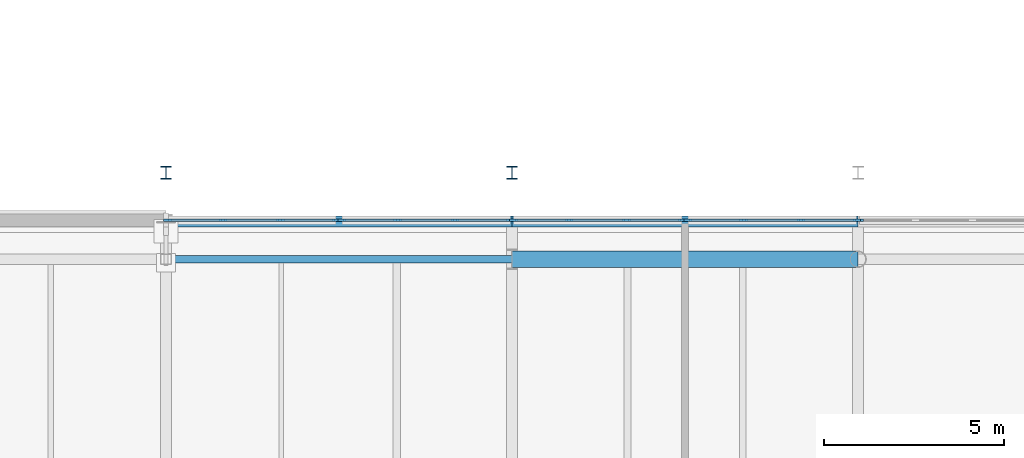
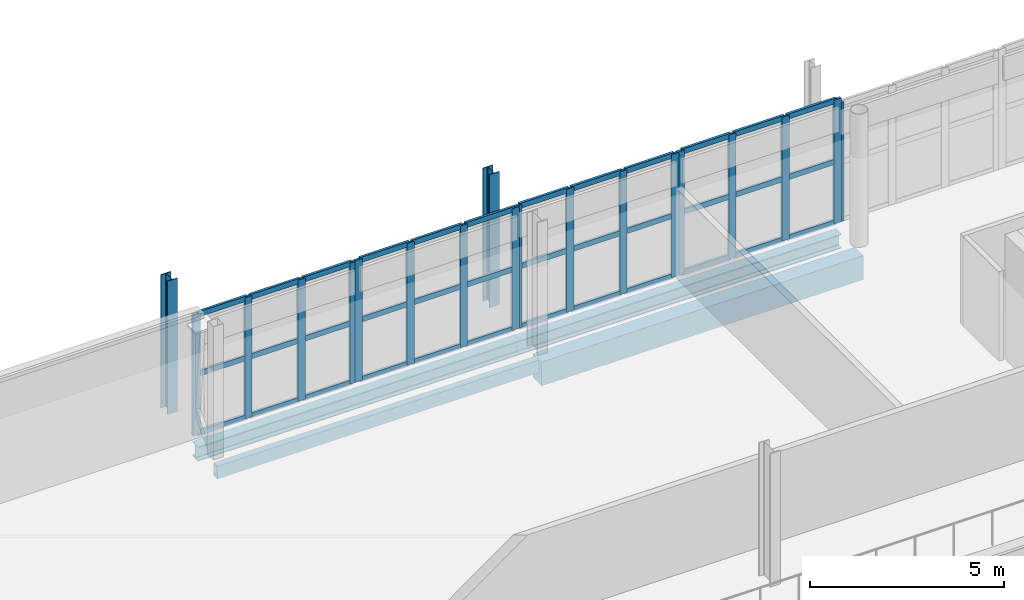
# One storey, part 22 of 57: 55 members, 4 beams, 5 elements without a shape of their own.
"""IFC4 building model written with IfcOpenShell, lengths in metres."""

import ifcopenshell
import ifcopenshell.guid

model = None  # the IFC model being written
_history = None  # IfcOwnerHistory: only IFC2X3 demands one
_inside = {}  # id of a spatial element -> (the spatial element, [elements in it])
_under = {}  # id of a project, library or spatial element -> (it, [spatial elements below it])
_declared = {}  # id of a project -> (the project, [libraries it declares])
_typed = {}  # id of a type object -> (the type object, [elements of that type])
_made_of = {}  # id of a material, layer set ... -> (it, [elements and type objects made of it])


def new_model(schema):
    """Start an empty IFC model of exactly this schema.

    Asked for "IFC4X3", IfcOpenShell would pick the latest addendum, in which some entities
    have other attributes; the version numbers below select the first issue.
    IFC2X3 requires an IfcOwnerHistory on every rooted entity: one is made here for all.
    """
    global model, _history
    if schema == "IFC4X3":
        model = ifcopenshell.file(schema_version=(4, 3, 0, 0))
    else:
        model = ifcopenshell.file(schema=schema)
    _inside.clear()
    _under.clear()
    _declared.clear()
    _typed.clear()
    _made_of.clear()
    _history = None
    if model.schema == "IFC2X3":
        org = make("IfcOrganization", Name="unknown")
        user = make(
            "IfcPersonAndOrganization",
            ThePerson=make("IfcPerson", FamilyName="unknown"),
            TheOrganization=org,
        )
        app = make(
            "IfcApplication",
            ApplicationDeveloper=org,
            Version="unknown",
            ApplicationFullName="unknown",
            ApplicationIdentifier="unknown",
        )
        _history = make(
            "IfcOwnerHistory",
            OwningUser=user,
            OwningApplication=app,
            ChangeAction="ADDED",
            CreationDate=0,
        )
    return model


def make(cls, **values):
    """One entity of the class cls with the attributes given. An attribute that is None is left unset."""
    return model.create_entity(
        cls, **{name: value for name, value in values.items() if value is not None}
    )


def rooted(cls, **values):
    """An entity with a GlobalId (a new one), such as an element, a storey or a relation."""
    return make(cls, GlobalId=ifcopenshell.guid.new(), OwnerHistory=_history, **values)


def si_unit(unit_type, name, prefix=None):
    """IfcSIUnit, for example si_unit("LENGTHUNIT", "METRE", prefix="MILLI")."""
    return make("IfcSIUnit", UnitType=unit_type, Prefix=prefix, Name=name)


def assignment(units):
    """IfcUnitAssignment: the units of a project."""
    return None if units is None else make("IfcUnitAssignment", Units=units)


def point(xyz):
    """IfcCartesianPoint."""
    return None if xyz is None else make("IfcCartesianPoint", Coordinates=xyz)


def direction(xyz):
    """IfcDirection."""
    return None if xyz is None else make("IfcDirection", DirectionRatios=xyz)


def frame(location, z_axis=None, x_axis=None):
    """IfcAxis2Placement3D, a coordinate frame: its origin and axes. An axis left out is left unset."""
    return make(
        "IfcAxis2Placement3D",
        Location=point(location),
        Axis=direction(z_axis),
        RefDirection=direction(x_axis),
    )


def frame_2d(location, x_axis=None):
    """IfcAxis2Placement2D, a coordinate frame in the plane: its origin and x axis."""
    return make(
        "IfcAxis2Placement2D", Location=point(location), RefDirection=direction(x_axis)
    )


def origin():
    """The frame at (0, 0, 0) with its axes left unset."""
    return frame((0.0, 0.0, 0.0))


def origin_2d():
    """The frame at (0, 0) in the plane with its x axis left unset."""
    return frame_2d((0.0, 0.0))


def place(relative_to, where):
    """IfcLocalPlacement: puts the frame where relative to a parent placement (None: the world)."""
    return make(
        "IfcLocalPlacement", PlacementRelTo=relative_to, RelativePlacement=where
    )


def context(
    kind, dimensions, precision=None, world=None, true_north=None, identifier=None
):
    """IfcGeometricRepresentationContext, for example the 3D "Model" context."""
    return make(
        "IfcGeometricRepresentationContext",
        ContextIdentifier=identifier,
        ContextType=kind,
        CoordinateSpaceDimension=dimensions,
        Precision=precision,
        WorldCoordinateSystem=world,
        TrueNorth=true_north,
    )


def subcontext(parent, identifier, kind, view, scale=None):
    """IfcGeometricRepresentationSubContext, for example "Body" below "Model"."""
    return make(
        "IfcGeometricRepresentationSubContext",
        ContextIdentifier=identifier,
        ContextType=kind,
        ParentContext=parent,
        TargetScale=scale,
        TargetView=view,
    )


def project(units=None, contexts=None):
    """IfcProject with its units and contexts."""
    return rooted(
        "IfcProject",
        Name="project",
        RepresentationContexts=contexts,
        UnitsInContext=assignment(units),
    )


def spatial(cls, under=None, at=None, **own):
    """A site, building, storey or space (cls), placed at a placement, below another one or the project."""
    s = rooted(cls, ObjectPlacement=at, **own)
    if under is not None:
        _under.setdefault(under.id(), (under, []))[1].append(s)
    return s


def profile(cls, at=None, kind="AREA", **sizes):
    """A parametric profile (cls). Its sizes go by their IFC names, for example OverallWidth=200.0."""
    return make(cls, ProfileType=kind, Position=at, **sizes)


def rectangle(**sizes):
    """IfcRectangleProfileDef."""
    return profile("IfcRectangleProfileDef", **sizes)


def hollow_rectangle(**sizes):
    """IfcRectangleHollowProfileDef."""
    return profile("IfcRectangleHollowProfileDef", **sizes)


def i_section(**sizes):
    """IfcIShapeProfileDef."""
    return profile("IfcIShapeProfileDef", **sizes)


def extrude(swept, where, along, depth):
    """IfcExtrudedAreaSolid: the profile swept, set in the frame where, extruded along a direction by depth."""
    return make(
        "IfcExtrudedAreaSolid",
        SweptArea=swept,
        Position=where,
        ExtrudedDirection=direction(along),
        Depth=depth,
    )


def shape(context_of_items, identifier, shape_type, items):
    """IfcShapeRepresentation: the items that make up one representation, for example the "Body"."""
    return make(
        "IfcShapeRepresentation",
        ContextOfItems=context_of_items,
        RepresentationIdentifier=identifier,
        RepresentationType=shape_type,
        Items=items,
    )


def material(Name=None, Category=None):
    """IfcMaterial."""
    return make("IfcMaterial", Name=Name, Category=Category)


def layer(
    of_material, thickness, ventilated=None, Name=None, Category=None, Priority=None
):
    """IfcMaterialLayer: one layer of a wall or slab, of a material (None: an air gap)."""
    return make(
        "IfcMaterialLayer",
        Material=of_material,
        LayerThickness=thickness,
        IsVentilated=ventilated,
        Name=Name,
        Category=Category,
        Priority=Priority,
    )


def layer_set(layers, Name=None):
    """IfcMaterialLayerSet."""
    return make("IfcMaterialLayerSet", MaterialLayers=layers, LayerSetName=Name)


def material_profile(
    of_material, cross_section, Name=None, Category=None, Priority=None
):
    """IfcMaterialProfile: a cross section and its material."""
    return make(
        "IfcMaterialProfile",
        Name=Name,
        Material=of_material,
        Profile=cross_section,
        Priority=Priority,
        Category=Category,
    )


def profile_set(profiles, Name=None, composite=None):
    """IfcMaterialProfileSet."""
    return make(
        "IfcMaterialProfileSet",
        Name=Name,
        MaterialProfiles=profiles,
        CompositeProfile=composite,
    )


def made_of(thing, what):
    """Note that an element or type object is made of a material, layer set ...; save() writes the relation."""
    if what is not None:
        _made_of.setdefault(what.id(), (what, []))[1].append(thing)
    return thing


def type_object(cls, material=None, **own):
    """A type object (cls), such as IfcWallType, which elements share."""
    return made_of(rooted(cls, **own), material)


def element(
    cls,
    number,
    at=None,
    inside=None,
    cuts=None,
    type_object=None,
    material=None,
    context=None,
    identifier="Body",
    shape_type=None,
    held_by="IfcProductDefinitionShape",
    body=None,
    shapes=None,
    **own,
):
    """One element of the class cls, such as IfcWall. Its Tag is "e" and its number.

    at: its placement. inside: the storey or other place that contains it. cuts: it is an
    opening in that element (IfcRelVoidsElement). A single representation is given by context,
    identifier, shape_type and body (its items); several are given by shapes. held_by: the class
    of the entity that holds the representations. save() writes the other relations.
    """
    e = rooted(cls, Tag="e%d" % number, ObjectPlacement=at, **own)
    if body is not None:
        shapes = [shape(context, identifier, shape_type, body)]
    if shapes is not None:
        e.Representation = make(held_by, Representations=shapes)
    if inside is not None:
        _inside.setdefault(inside.id(), (inside, []))[1].append(e)
    if cuts is not None:
        rooted(
            "IfcRelVoidsElement", RelatingBuildingElement=cuts, RelatedOpeningElement=e
        )
    if type_object is not None:
        _typed.setdefault(type_object.id(), (type_object, []))[1].append(e)
    return made_of(e, material)


def aggregate(whole, parts):
    """IfcRelAggregates: a whole, such as a stair, and the parts it consists of."""
    return rooted("IfcRelAggregates", RelatingObject=whole, RelatedObjects=parts)


def save(model, path):
    """Write the relations noted so far, then the file.

    IfcRelAggregates (storeys below a building ...), IfcRelContainedInSpatialStructure (elements
    in a storey), IfcRelDefinesByType, IfcRelAssociatesMaterial and IfcRelDeclares: one each for
    every whole, place, type object, material and project.
    """
    for whole, parts in _under.values():
        aggregate(whole, parts)
    for where, things in _inside.values():
        rooted(
            "IfcRelContainedInSpatialStructure",
            RelatedElements=things,
            RelatingStructure=where,
        )
    for kind, things in _typed.values():
        rooted("IfcRelDefinesByType", RelatedObjects=things, RelatingType=kind)
    for what, things in _made_of.values():
        rooted("IfcRelAssociatesMaterial", RelatedObjects=things, RelatingMaterial=what)
    for by, libraries in _declared.values():
        rooted("IfcRelDeclares", RelatingContext=by, RelatedDefinitions=libraries)
    model.write(path)


model = new_model("IFC4")

# Units and contexts
model_context = context("Model", 3, precision=1e-05, world=origin(), true_north=direction((0.0, 1.0)))
body_context = subcontext(model_context, "Body", "Model", "MODEL_VIEW")
ifc_project = project(units=[si_unit("LENGTHUNIT", "METRE"), si_unit("AREAUNIT", "SQUARE_METRE"), si_unit("VOLUMEUNIT", "CUBIC_METRE"), si_unit("PLANEANGLEUNIT", "RADIAN"), si_unit("MASSUNIT", "GRAM", prefix="KILO")], contexts=[model_context])

# Site, building, storey
site_placement = place(None, origin())
site = spatial("IfcSite", under=ifc_project, at=site_placement, CompositionType="ELEMENT")
building_placement = place(site_placement, origin())
building = spatial("IfcBuilding", under=site, at=building_placement, Name="Zereglee Splitstone Museum", CompositionType="ELEMENT")
storey_placement = place(building_placement, frame((0.0, 0.0, 17.10009765625)))
storey = spatial("IfcBuildingStorey", under=building, at=storey_placement, Name="L03", CompositionType="ELEMENT", Elevation=17.10009765625)

# Curtain wall, member
ifc_material_1 = material(Name="Triple-glazed low-E argon glass and bronze-anodised aluminium", Category="aluminium")
ifc_layer_1 = layer(ifc_material_1, 0.219970703125)
ifc_layer_set_1 = layer_set([ifc_layer_1], Name="Triple-glazed low-E argon glass and bronze-anodised aluminium")
curtain_wall_type_1 = type_object("IfcCurtainWallType", Name="CW-0476-376", PredefinedType="USERDEFINED", material=ifc_layer_set_1)
curtain_wall_1_placement = place(storey_placement, origin())
curtain_wall_1 = element("IfcCurtainWall", 1, at=curtain_wall_1_placement, inside=storey, type_object=curtain_wall_type_1, Name="Glazed Curtain Wall CW-0476-376 (L03)", ObjectType="GLAZED CURTAIN WALL", PredefinedType="USERDEFINED")
ifc_material_2 = material(Name="Thermally broken bronze-anodised aluminium", Category="aluminium")
ifc_material_profile_1 = material_profile(ifc_material_2, rectangle(XDim=0.074951171875, YDim=0.219970703125, at=origin_2d()), Name="CW MULL 75x220")
ifc_profile_set_1 = profile_set([ifc_material_profile_1], Name="Thermally broken bronze-anodised aluminium")
member_type_1 = type_object("IfcMemberType", Name="CWM-02", PredefinedType="MULLION", material=ifc_profile_set_1)
member_1_placement = place(storey_placement, frame((116.4375, 51.47998046875, 0.0), z_axis=(0.0, 0.0, 1.0), x_axis=(0.0, -1.0, 0.0)))
member_1 = element("IfcMember", 2, at=member_1_placement, type_object=member_type_1, Name="CW-0476-376 mullion 4", PredefinedType="MULLION", context=body_context, shape_type="SweptSolid", body=[
    extrude(rectangle(XDim=0.074951171875, YDim=0.219970703125, at=origin_2d()), origin(), (0.0, 0.0, 1.0), 3.760009765625),
])
aggregate(curtain_wall_1, [member_1])

# Curtain wall, members
ifc_layer_2 = layer(ifc_material_1, 0.219970703125)
ifc_layer_set_2 = layer_set([ifc_layer_2], Name="Triple-glazed low-E argon glass and bronze-anodised aluminium")
curtain_wall_type_2 = type_object("IfcCurtainWallType", Name="CW-0476-390", PredefinedType="USERDEFINED", material=ifc_layer_set_2)
curtain_wall_2_placement = place(storey_placement, origin())
curtain_wall_2 = element("IfcCurtainWall", 3, at=curtain_wall_2_placement, inside=storey, type_object=curtain_wall_type_2, Name="Glazed Curtain Wall CW-0476-390 (L03)", ObjectType="GLAZED CURTAIN WALL", PredefinedType="USERDEFINED")
member_2_placement = place(storey_placement, frame((116.362548828125, 51.47998046875, 0.0), z_axis=(0.0, 0.0, 1.0), x_axis=(0.0, -1.0, 0.0)))
member_2 = element("IfcMember", 4, at=member_2_placement, type_object=member_type_1, Name="CW-0476-390 mullion 1", PredefinedType="MULLION", context=body_context, shape_type="SweptSolid", body=[
    extrude(rectangle(XDim=0.074951171875, YDim=0.219970703125, at=origin_2d()), origin(), (0.0, 0.0, 1.0), 3.89990234375),
])
member_3_placement = place(storey_placement, frame((114.813232421875, 51.47998046875, 0.0), z_axis=(0.0, 0.0, 1.0), x_axis=(0.0, -1.0, 0.0)))
member_3 = element("IfcMember", 5, at=member_3_placement, type_object=member_type_1, Name="CW-0476-390 mullion 2", PredefinedType="MULLION", context=body_context, shape_type="SweptSolid", body=[
    extrude(rectangle(XDim=0.074951171875, YDim=0.219970703125, at=origin_2d()), origin(), (0.0, 0.0, 1.0), 3.89990234375),
])
member_4_placement = place(storey_placement, frame((113.2265625, 51.47998046875, 0.0), z_axis=(0.0, 0.0, 1.0), x_axis=(0.0, -1.0, 0.0)))
member_4 = element("IfcMember", 6, at=member_4_placement, type_object=member_type_1, Name="CW-0476-390 mullion 3", PredefinedType="MULLION", context=body_context, shape_type="SweptSolid", body=[
    extrude(rectangle(XDim=0.074951171875, YDim=0.219970703125, at=origin_2d()), origin(), (0.0, 0.0, 1.0), 3.89990234375),
])
member_5_placement = place(storey_placement, frame((111.677490234375, 51.47998046875, 0.0), z_axis=(0.0, 0.0, 1.0), x_axis=(0.0, -1.0, 0.0)))
member_5 = element("IfcMember", 7, at=member_5_placement, type_object=member_type_1, Name="CW-0476-390 mullion 4", PredefinedType="MULLION", context=body_context, shape_type="SweptSolid", body=[
    extrude(rectangle(XDim=0.074951171875, YDim=0.219970703125, at=origin_2d()), origin(), (0.0, 0.0, 1.0), 3.89990234375),
])

ifc_layer_3 = layer(ifc_material_1, 0.219970703125)
ifc_layer_set_3 = layer_set([ifc_layer_3], Name="Triple-glazed low-E argon glass and bronze-anodised aluminium")
curtain_wall_type_3 = type_object("IfcCurtainWallType", Name="CW-0476-388", PredefinedType="USERDEFINED", material=ifc_layer_set_3)
curtain_wall_3_placement = place(storey_placement, origin())
curtain_wall_3 = element("IfcCurtainWall", 8, at=curtain_wall_3_placement, inside=storey, type_object=curtain_wall_type_3, Name="Glazed Curtain Wall CW-0476-388 (L03)", ObjectType="GLAZED CURTAIN WALL", PredefinedType="USERDEFINED")
member_6_placement = place(storey_placement, frame((111.5224609375, 51.47998046875, 0.0), z_axis=(0.0, 0.0, 1.0), x_axis=(0.0, -1.0, 0.0)))
member_6 = element("IfcMember", 9, at=member_6_placement, type_object=member_type_1, Name="CW-0476-388 mullion 1", PredefinedType="MULLION", context=body_context, shape_type="SweptSolid", body=[
    extrude(rectangle(XDim=0.074951171875, YDim=0.219970703125, at=origin_2d()), origin(), (0.0, 0.0, 1.0), 3.8798828125),
])
member_7_placement = place(storey_placement, frame((109.973388671875, 51.47998046875, 0.0), z_axis=(0.0, 0.0, 1.0), x_axis=(0.0, -1.0, 0.0)))
member_7 = element("IfcMember", 10, at=member_7_placement, type_object=member_type_1, Name="CW-0476-388 mullion 2", PredefinedType="MULLION", context=body_context, shape_type="SweptSolid", body=[
    extrude(rectangle(XDim=0.074951171875, YDim=0.219970703125, at=origin_2d()), origin(), (0.0, 0.0, 1.0), 3.8798828125),
])
member_8_placement = place(storey_placement, frame((108.38671875, 51.47998046875, 0.0), z_axis=(0.0, 0.0, 1.0), x_axis=(0.0, -1.0, 0.0)))
member_8 = element("IfcMember", 11, at=member_8_placement, type_object=member_type_1, Name="CW-0476-388 mullion 3", PredefinedType="MULLION", context=body_context, shape_type="SweptSolid", body=[
    extrude(rectangle(XDim=0.074951171875, YDim=0.219970703125, at=origin_2d()), origin(), (0.0, 0.0, 1.0), 3.8798828125),
])
member_9_placement = place(storey_placement, frame((106.83740234375, 51.47998046875, 0.0), z_axis=(0.0, 0.0, 1.0), x_axis=(0.0, -1.0, 0.0)))
member_9 = element("IfcMember", 12, at=member_9_placement, type_object=member_type_1, Name="CW-0476-388 mullion 4", PredefinedType="MULLION", context=body_context, shape_type="SweptSolid", body=[
    extrude(rectangle(XDim=0.074951171875, YDim=0.219970703125, at=origin_2d()), origin(), (0.0, 0.0, 1.0), 3.8798828125),
])

ifc_layer_4 = layer(ifc_material_1, 0.219970703125)
ifc_layer_set_4 = layer_set([ifc_layer_4], Name="Triple-glazed low-E argon glass and bronze-anodised aluminium")
curtain_wall_type_4 = type_object("IfcCurtainWallType", Name="CW-0476-384", PredefinedType="USERDEFINED", material=ifc_layer_set_4)
curtain_wall_4_placement = place(storey_placement, origin())
curtain_wall_4 = element("IfcCurtainWall", 13, at=curtain_wall_4_placement, inside=storey, type_object=curtain_wall_type_4, Name="Glazed Curtain Wall CW-0476-384 (L03)", ObjectType="GLAZED CURTAIN WALL", PredefinedType="USERDEFINED")
member_10_placement = place(storey_placement, frame((106.762451171875, 51.47998046875, 0.0), z_axis=(0.0, 0.0, 1.0), x_axis=(0.0, -1.0, 0.0)))
member_10 = element("IfcMember", 14, at=member_10_placement, type_object=member_type_1, Name="CW-0476-384 mullion 1", PredefinedType="MULLION", context=body_context, shape_type="SweptSolid", body=[
    extrude(rectangle(XDim=0.074951171875, YDim=0.219970703125, at=origin_2d()), origin(), (0.0, 0.0, 1.0), 3.83984375),
])
member_11_placement = place(storey_placement, frame((105.21337890625, 51.47998046875, 0.0), z_axis=(0.0, 0.0, 1.0), x_axis=(0.0, -1.0, 0.0)))
member_11 = element("IfcMember", 15, at=member_11_placement, type_object=member_type_1, Name="CW-0476-384 mullion 2", PredefinedType="MULLION", context=body_context, shape_type="SweptSolid", body=[
    extrude(rectangle(XDim=0.074951171875, YDim=0.219970703125, at=origin_2d()), origin(), (0.0, 0.0, 1.0), 3.83984375),
])
member_12_placement = place(storey_placement, frame((103.626708984375, 51.47998046875, 0.0), z_axis=(0.0, 0.0, 1.0), x_axis=(0.0, -1.0, 0.0)))
member_12 = element("IfcMember", 16, at=member_12_placement, type_object=member_type_1, Name="CW-0476-384 mullion 3", PredefinedType="MULLION", context=body_context, shape_type="SweptSolid", body=[
    extrude(rectangle(XDim=0.074951171875, YDim=0.219970703125, at=origin_2d()), origin(), (0.0, 0.0, 1.0), 3.83984375),
])
member_13_placement = place(storey_placement, frame((102.077392578125, 51.47998046875, 0.0), z_axis=(0.0, 0.0, 1.0), x_axis=(0.0, -1.0, 0.0)))
member_13 = element("IfcMember", 17, at=member_13_placement, type_object=member_type_1, Name="CW-0476-384 mullion 4", PredefinedType="MULLION", context=body_context, shape_type="SweptSolid", body=[
    extrude(rectangle(XDim=0.074951171875, YDim=0.219970703125, at=origin_2d()), origin(), (0.0, 0.0, 1.0), 3.83984375),
])

ifc_layer_5 = layer(ifc_material_1, 0.219970703125)
ifc_layer_set_5 = layer_set([ifc_layer_5], Name="Triple-glazed low-E argon glass and bronze-anodised aluminium")
curtain_wall_type_5 = type_object("IfcCurtainWallType", Name="CW-0476-382", PredefinedType="USERDEFINED", material=ifc_layer_set_5)
curtain_wall_5_placement = place(storey_placement, origin())
curtain_wall_5 = element("IfcCurtainWall", 18, at=curtain_wall_5_placement, inside=storey, type_object=curtain_wall_type_5, Name="Glazed Curtain Wall CW-0476-382 (L03)", ObjectType="GLAZED CURTAIN WALL", PredefinedType="USERDEFINED")
member_14_placement = place(storey_placement, frame((101.922607421875, 51.47998046875, 0.0), z_axis=(0.0, 0.0, 1.0), x_axis=(0.0, -1.0, 0.0)))
member_14 = element("IfcMember", 19, at=member_14_placement, type_object=member_type_1, Name="CW-0476-382 mullion 1", PredefinedType="MULLION", context=body_context, shape_type="SweptSolid", body=[
    extrude(rectangle(XDim=0.074951171875, YDim=0.219970703125, at=origin_2d()), origin(), (0.0, 0.0, 1.0), 3.81982421875),
])
member_15_placement = place(storey_placement, frame((100.373291015625, 51.47998046875, 0.0), z_axis=(0.0, 0.0, 1.0), x_axis=(0.0, -1.0, 0.0)))
member_15 = element("IfcMember", 20, at=member_15_placement, type_object=member_type_1, Name="CW-0476-382 mullion 2", PredefinedType="MULLION", context=body_context, shape_type="SweptSolid", body=[
    extrude(rectangle(XDim=0.074951171875, YDim=0.219970703125, at=origin_2d()), origin(), (0.0, 0.0, 1.0), 3.81982421875),
])
member_16_placement = place(storey_placement, frame((98.78662109375, 51.47998046875, 0.0), z_axis=(0.0, 0.0, 1.0), x_axis=(0.0, -1.0, 0.0)))
member_16 = element("IfcMember", 21, at=member_16_placement, type_object=member_type_1, Name="CW-0476-382 mullion 3", PredefinedType="MULLION", context=body_context, shape_type="SweptSolid", body=[
    extrude(rectangle(XDim=0.074951171875, YDim=0.219970703125, at=origin_2d()), origin(), (0.0, 0.0, 1.0), 3.81982421875),
])
member_17_placement = place(storey_placement, frame((97.237548828125, 51.47998046875, 0.0), z_axis=(0.0, 0.0, 1.0), x_axis=(0.0, -1.0, 0.0)))
member_17 = element("IfcMember", 22, at=member_17_placement, type_object=member_type_1, Name="CW-0476-382 mullion 4", PredefinedType="MULLION", context=body_context, shape_type="SweptSolid", body=[
    extrude(rectangle(XDim=0.074951171875, YDim=0.219970703125, at=origin_2d()), origin(), (0.0, 0.0, 1.0), 3.81982421875),
])

# Member
ifc_material_profile_2 = material_profile(ifc_material_2, rectangle(XDim=0.074951171875, YDim=0.1650390625, at=origin_2d()), Name="CW TRAN 75x165")
ifc_profile_set_2 = profile_set([ifc_material_profile_2], Name="Thermally broken bronze-anodised aluminium")
member_type_2 = type_object("IfcMemberType", Name="CWT-02", PredefinedType="USERDEFINED", material=ifc_profile_set_2)
member_18_placement = place(storey_placement, frame((116.324951171875, 51.47998046875, 0.037353515625), z_axis=(-1.0, 0.0, 0.0), x_axis=(0.0, -1.0, 0.0)))
member_18 = element("IfcMember", 23, at=member_18_placement, type_object=member_type_2, Name="CW-0476-390 transom 1.1", ObjectType="TRANSOM", PredefinedType="USERDEFINED", context=body_context, shape_type="SweptSolid", body=[
    extrude(rectangle(XDim=0.074951171875, YDim=0.1650390625, at=origin_2d()), origin(), (0.0, 0.0, 1.0), 1.47412109375),
])

member_19_placement = place(storey_placement, frame((116.324951171875, 51.47998046875, 1.949951171875), z_axis=(-1.0, 0.0, 0.0), x_axis=(0.0, -1.0, 0.0)))
member_19 = element("IfcMember", 24, at=member_19_placement, type_object=member_type_2, Name="CW-0476-390 transom 1.2", ObjectType="TRANSOM", PredefinedType="USERDEFINED", context=body_context, shape_type="SweptSolid", body=[
    extrude(rectangle(XDim=0.074951171875, YDim=0.1650390625, at=origin_2d()), origin(), (0.0, 0.0, 1.0), 1.47412109375),
])

member_20_placement = place(storey_placement, frame((116.324951171875, 51.47998046875, 3.8623046875), z_axis=(-1.0, 0.0, 0.0), x_axis=(0.0, -1.0, 0.0)))
member_20 = element("IfcMember", 25, at=member_20_placement, type_object=member_type_2, Name="CW-0476-390 transom 1.3", ObjectType="TRANSOM", PredefinedType="USERDEFINED", context=body_context, shape_type="SweptSolid", body=[
    extrude(rectangle(XDim=0.074951171875, YDim=0.1650390625, at=origin_2d()), origin(), (0.0, 0.0, 1.0), 1.47412109375),
])

member_21_placement = place(storey_placement, frame((114.77587890625, 51.47998046875, 0.037353515625), z_axis=(-1.0, 0.0, 0.0), x_axis=(0.0, -1.0, 0.0)))
member_21 = element("IfcMember", 26, at=member_21_placement, type_object=member_type_2, Name="CW-0476-390 transom 2.1", ObjectType="TRANSOM", PredefinedType="USERDEFINED", context=body_context, shape_type="SweptSolid", body=[
    extrude(rectangle(XDim=0.074951171875, YDim=0.1650390625, at=origin_2d()), origin(), (0.0, 0.0, 1.0), 1.51171875),
])

member_22_placement = place(storey_placement, frame((114.77587890625, 51.47998046875, 1.949951171875), z_axis=(-1.0, 0.0, 0.0), x_axis=(0.0, -1.0, 0.0)))
member_22 = element("IfcMember", 27, at=member_22_placement, type_object=member_type_2, Name="CW-0476-390 transom 2.2", ObjectType="TRANSOM", PredefinedType="USERDEFINED", context=body_context, shape_type="SweptSolid", body=[
    extrude(rectangle(XDim=0.074951171875, YDim=0.1650390625, at=origin_2d()), origin(), (0.0, 0.0, 1.0), 1.51171875),
])

member_23_placement = place(storey_placement, frame((114.77587890625, 51.47998046875, 3.8623046875), z_axis=(-1.0, 0.0, 0.0), x_axis=(0.0, -1.0, 0.0)))
member_23 = element("IfcMember", 28, at=member_23_placement, type_object=member_type_2, Name="CW-0476-390 transom 2.3", ObjectType="TRANSOM", PredefinedType="USERDEFINED", context=body_context, shape_type="SweptSolid", body=[
    extrude(rectangle(XDim=0.074951171875, YDim=0.1650390625, at=origin_2d()), origin(), (0.0, 0.0, 1.0), 1.51171875),
])

member_24_placement = place(storey_placement, frame((113.189208984375, 51.47998046875, 0.037353515625), z_axis=(-1.0, 0.0, 0.0), x_axis=(0.0, -1.0, 0.0)))
member_24 = element("IfcMember", 29, at=member_24_placement, type_object=member_type_2, Name="CW-0476-390 transom 3.1", ObjectType="TRANSOM", PredefinedType="USERDEFINED", context=body_context, shape_type="SweptSolid", body=[
    extrude(rectangle(XDim=0.074951171875, YDim=0.1650390625, at=origin_2d()), origin(), (0.0, 0.0, 1.0), 1.47412109375),
])

member_25_placement = place(storey_placement, frame((113.189208984375, 51.47998046875, 1.949951171875), z_axis=(-1.0, 0.0, 0.0), x_axis=(0.0, -1.0, 0.0)))
member_25 = element("IfcMember", 30, at=member_25_placement, type_object=member_type_2, Name="CW-0476-390 transom 3.2", ObjectType="TRANSOM", PredefinedType="USERDEFINED", context=body_context, shape_type="SweptSolid", body=[
    extrude(rectangle(XDim=0.074951171875, YDim=0.1650390625, at=origin_2d()), origin(), (0.0, 0.0, 1.0), 1.47412109375),
])

member_26_placement = place(storey_placement, frame((113.189208984375, 51.47998046875, 3.8623046875), z_axis=(-1.0, 0.0, 0.0), x_axis=(0.0, -1.0, 0.0)))
member_26 = element("IfcMember", 31, at=member_26_placement, type_object=member_type_2, Name="CW-0476-390 transom 3.3", ObjectType="TRANSOM", PredefinedType="USERDEFINED", context=body_context, shape_type="SweptSolid", body=[
    extrude(rectangle(XDim=0.074951171875, YDim=0.1650390625, at=origin_2d()), origin(), (0.0, 0.0, 1.0), 1.47412109375),
])

aggregate(curtain_wall_2, [member_2, member_3, member_4, member_5, member_18, member_19, member_20, member_21, member_22, member_23, member_24, member_25, member_26])

member_27_placement = place(storey_placement, frame((111.485107421875, 51.47998046875, 0.037353515625), z_axis=(-1.0, 0.0, 0.0), x_axis=(0.0, -1.0, 0.0)))
member_27 = element("IfcMember", 32, at=member_27_placement, type_object=member_type_2, Name="CW-0476-388 transom 1.1", ObjectType="TRANSOM", PredefinedType="USERDEFINED", context=body_context, shape_type="SweptSolid", body=[
    extrude(rectangle(XDim=0.074951171875, YDim=0.1650390625, at=origin_2d()), origin(), (0.0, 0.0, 1.0), 1.474365234375),
])

member_28_placement = place(storey_placement, frame((111.485107421875, 51.47998046875, 1.93994140625), z_axis=(-1.0, 0.0, 0.0), x_axis=(0.0, -1.0, 0.0)))
member_28 = element("IfcMember", 33, at=member_28_placement, type_object=member_type_2, Name="CW-0476-388 transom 1.2", ObjectType="TRANSOM", PredefinedType="USERDEFINED", context=body_context, shape_type="SweptSolid", body=[
    extrude(rectangle(XDim=0.074951171875, YDim=0.1650390625, at=origin_2d()), origin(), (0.0, 0.0, 1.0), 1.474365234375),
])

member_29_placement = place(storey_placement, frame((111.485107421875, 51.47998046875, 3.84228515625), z_axis=(-1.0, 0.0, 0.0), x_axis=(0.0, -1.0, 0.0)))
member_29 = element("IfcMember", 34, at=member_29_placement, type_object=member_type_2, Name="CW-0476-388 transom 1.3", ObjectType="TRANSOM", PredefinedType="USERDEFINED", context=body_context, shape_type="SweptSolid", body=[
    extrude(rectangle(XDim=0.074951171875, YDim=0.1650390625, at=origin_2d()), origin(), (0.0, 0.0, 1.0), 1.474365234375),
])

member_30_placement = place(storey_placement, frame((109.935791015625, 51.47998046875, 0.037353515625), z_axis=(-1.0, 0.0, 0.0), x_axis=(0.0, -1.0, 0.0)))
member_30 = element("IfcMember", 35, at=member_30_placement, type_object=member_type_2, Name="CW-0476-388 transom 2.1", ObjectType="TRANSOM", PredefinedType="USERDEFINED", context=body_context, shape_type="SweptSolid", body=[
    extrude(rectangle(XDim=0.074951171875, YDim=0.1650390625, at=origin_2d()), origin(), (0.0, 0.0, 1.0), 1.51171875),
])

member_31_placement = place(storey_placement, frame((109.935791015625, 51.47998046875, 1.93994140625), z_axis=(-1.0, 0.0, 0.0), x_axis=(0.0, -1.0, 0.0)))
member_31 = element("IfcMember", 36, at=member_31_placement, type_object=member_type_2, Name="CW-0476-388 transom 2.2", ObjectType="TRANSOM", PredefinedType="USERDEFINED", context=body_context, shape_type="SweptSolid", body=[
    extrude(rectangle(XDim=0.074951171875, YDim=0.1650390625, at=origin_2d()), origin(), (0.0, 0.0, 1.0), 1.51171875),
])

member_32_placement = place(storey_placement, frame((109.935791015625, 51.47998046875, 3.84228515625), z_axis=(-1.0, 0.0, 0.0), x_axis=(0.0, -1.0, 0.0)))
member_32 = element("IfcMember", 37, at=member_32_placement, type_object=member_type_2, Name="CW-0476-388 transom 2.3", ObjectType="TRANSOM", PredefinedType="USERDEFINED", context=body_context, shape_type="SweptSolid", body=[
    extrude(rectangle(XDim=0.074951171875, YDim=0.1650390625, at=origin_2d()), origin(), (0.0, 0.0, 1.0), 1.51171875),
])

member_33_placement = place(storey_placement, frame((108.34912109375, 51.47998046875, 0.037353515625), z_axis=(-1.0, 0.0, 0.0), x_axis=(0.0, -1.0, 0.0)))
member_33 = element("IfcMember", 38, at=member_33_placement, type_object=member_type_2, Name="CW-0476-388 transom 3.1", ObjectType="TRANSOM", PredefinedType="USERDEFINED", context=body_context, shape_type="SweptSolid", body=[
    extrude(rectangle(XDim=0.074951171875, YDim=0.1650390625, at=origin_2d()), origin(), (0.0, 0.0, 1.0), 1.47412109375),
])

member_34_placement = place(storey_placement, frame((108.34912109375, 51.47998046875, 1.93994140625), z_axis=(-1.0, 0.0, 0.0), x_axis=(0.0, -1.0, 0.0)))
member_34 = element("IfcMember", 39, at=member_34_placement, type_object=member_type_2, Name="CW-0476-388 transom 3.2", ObjectType="TRANSOM", PredefinedType="USERDEFINED", context=body_context, shape_type="SweptSolid", body=[
    extrude(rectangle(XDim=0.074951171875, YDim=0.1650390625, at=origin_2d()), origin(), (0.0, 0.0, 1.0), 1.47412109375),
])

member_35_placement = place(storey_placement, frame((108.34912109375, 51.47998046875, 3.84228515625), z_axis=(-1.0, 0.0, 0.0), x_axis=(0.0, -1.0, 0.0)))
member_35 = element("IfcMember", 40, at=member_35_placement, type_object=member_type_2, Name="CW-0476-388 transom 3.3", ObjectType="TRANSOM", PredefinedType="USERDEFINED", context=body_context, shape_type="SweptSolid", body=[
    extrude(rectangle(XDim=0.074951171875, YDim=0.1650390625, at=origin_2d()), origin(), (0.0, 0.0, 1.0), 1.47412109375),
])

aggregate(curtain_wall_3, [member_6, member_7, member_8, member_9, member_27, member_28, member_29, member_30, member_31, member_32, member_33, member_34, member_35])

member_36_placement = place(storey_placement, frame((106.72509765625, 51.47998046875, 0.037353515625), z_axis=(-1.0, 0.0, 0.0), x_axis=(0.0, -1.0, 0.0)))
member_36 = element("IfcMember", 41, at=member_36_placement, type_object=member_type_2, Name="CW-0476-384 transom 1.1", ObjectType="TRANSOM", PredefinedType="USERDEFINED", context=body_context, shape_type="SweptSolid", body=[
    extrude(rectangle(XDim=0.074951171875, YDim=0.1650390625, at=origin_2d()), origin(), (0.0, 0.0, 1.0), 1.474365234375),
])

member_37_placement = place(storey_placement, frame((106.72509765625, 51.47998046875, 1.919921875), z_axis=(-1.0, 0.0, 0.0), x_axis=(0.0, -1.0, 0.0)))
member_37 = element("IfcMember", 42, at=member_37_placement, type_object=member_type_2, Name="CW-0476-384 transom 1.2", ObjectType="TRANSOM", PredefinedType="USERDEFINED", context=body_context, shape_type="SweptSolid", body=[
    extrude(rectangle(XDim=0.074951171875, YDim=0.1650390625, at=origin_2d()), origin(), (0.0, 0.0, 1.0), 1.474365234375),
])

member_38_placement = place(storey_placement, frame((106.72509765625, 51.47998046875, 3.802490234375), z_axis=(-1.0, 0.0, 0.0), x_axis=(0.0, -1.0, 0.0)))
member_38 = element("IfcMember", 43, at=member_38_placement, type_object=member_type_2, Name="CW-0476-384 transom 1.3", ObjectType="TRANSOM", PredefinedType="USERDEFINED", context=body_context, shape_type="SweptSolid", body=[
    extrude(rectangle(XDim=0.074951171875, YDim=0.1650390625, at=origin_2d()), origin(), (0.0, 0.0, 1.0), 1.474365234375),
])

member_39_placement = place(storey_placement, frame((105.17578125, 51.47998046875, 0.037353515625), z_axis=(-1.0, 0.0, 0.0), x_axis=(0.0, -1.0, 0.0)))
member_39 = element("IfcMember", 44, at=member_39_placement, type_object=member_type_2, Name="CW-0476-384 transom 2.1", ObjectType="TRANSOM", PredefinedType="USERDEFINED", context=body_context, shape_type="SweptSolid", body=[
    extrude(rectangle(XDim=0.074951171875, YDim=0.1650390625, at=origin_2d()), origin(), (0.0, 0.0, 1.0), 1.51171875),
])

member_40_placement = place(storey_placement, frame((105.17578125, 51.47998046875, 1.919921875), z_axis=(-1.0, 0.0, 0.0), x_axis=(0.0, -1.0, 0.0)))
member_40 = element("IfcMember", 45, at=member_40_placement, type_object=member_type_2, Name="CW-0476-384 transom 2.2", ObjectType="TRANSOM", PredefinedType="USERDEFINED", context=body_context, shape_type="SweptSolid", body=[
    extrude(rectangle(XDim=0.074951171875, YDim=0.1650390625, at=origin_2d()), origin(), (0.0, 0.0, 1.0), 1.51171875),
])

member_41_placement = place(storey_placement, frame((105.17578125, 51.47998046875, 3.802490234375), z_axis=(-1.0, 0.0, 0.0), x_axis=(0.0, -1.0, 0.0)))
member_41 = element("IfcMember", 46, at=member_41_placement, type_object=member_type_2, Name="CW-0476-384 transom 2.3", ObjectType="TRANSOM", PredefinedType="USERDEFINED", context=body_context, shape_type="SweptSolid", body=[
    extrude(rectangle(XDim=0.074951171875, YDim=0.1650390625, at=origin_2d()), origin(), (0.0, 0.0, 1.0), 1.51171875),
])

member_42_placement = place(storey_placement, frame((103.589111328125, 51.47998046875, 0.037353515625), z_axis=(-1.0, 0.0, 0.0), x_axis=(0.0, -1.0, 0.0)))
member_42 = element("IfcMember", 47, at=member_42_placement, type_object=member_type_2, Name="CW-0476-384 transom 3.1", ObjectType="TRANSOM", PredefinedType="USERDEFINED", context=body_context, shape_type="SweptSolid", body=[
    extrude(rectangle(XDim=0.074951171875, YDim=0.1650390625, at=origin_2d()), origin(), (0.0, 0.0, 1.0), 1.47412109375),
])

member_43_placement = place(storey_placement, frame((103.589111328125, 51.47998046875, 1.919921875), z_axis=(-1.0, 0.0, 0.0), x_axis=(0.0, -1.0, 0.0)))
member_43 = element("IfcMember", 48, at=member_43_placement, type_object=member_type_2, Name="CW-0476-384 transom 3.2", ObjectType="TRANSOM", PredefinedType="USERDEFINED", context=body_context, shape_type="SweptSolid", body=[
    extrude(rectangle(XDim=0.074951171875, YDim=0.1650390625, at=origin_2d()), origin(), (0.0, 0.0, 1.0), 1.47412109375),
])

member_44_placement = place(storey_placement, frame((103.589111328125, 51.47998046875, 3.802490234375), z_axis=(-1.0, 0.0, 0.0), x_axis=(0.0, -1.0, 0.0)))
member_44 = element("IfcMember", 49, at=member_44_placement, type_object=member_type_2, Name="CW-0476-384 transom 3.3", ObjectType="TRANSOM", PredefinedType="USERDEFINED", context=body_context, shape_type="SweptSolid", body=[
    extrude(rectangle(XDim=0.074951171875, YDim=0.1650390625, at=origin_2d()), origin(), (0.0, 0.0, 1.0), 1.47412109375),
])

aggregate(curtain_wall_4, [member_10, member_11, member_12, member_13, member_36, member_37, member_38, member_39, member_40, member_41, member_42, member_43, member_44])

member_45_placement = place(storey_placement, frame((101.885009765625, 51.47998046875, 0.037353515625), z_axis=(-1.0, 0.0, 0.0), x_axis=(0.0, -1.0, 0.0)))
member_45 = element("IfcMember", 50, at=member_45_placement, type_object=member_type_2, Name="CW-0476-382 transom 1.1", ObjectType="TRANSOM", PredefinedType="USERDEFINED", context=body_context, shape_type="SweptSolid", body=[
    extrude(rectangle(XDim=0.074951171875, YDim=0.1650390625, at=origin_2d()), origin(), (0.0, 0.0, 1.0), 1.47412109375),
])

member_46_placement = place(storey_placement, frame((101.885009765625, 51.47998046875, 1.909912109375), z_axis=(-1.0, 0.0, 0.0), x_axis=(0.0, -1.0, 0.0)))
member_46 = element("IfcMember", 51, at=member_46_placement, type_object=member_type_2, Name="CW-0476-382 transom 1.2", ObjectType="TRANSOM", PredefinedType="USERDEFINED", context=body_context, shape_type="SweptSolid", body=[
    extrude(rectangle(XDim=0.074951171875, YDim=0.1650390625, at=origin_2d()), origin(), (0.0, 0.0, 1.0), 1.47412109375),
])

member_47_placement = place(storey_placement, frame((101.885009765625, 51.47998046875, 3.782470703125), z_axis=(-1.0, 0.0, 0.0), x_axis=(0.0, -1.0, 0.0)))
member_47 = element("IfcMember", 52, at=member_47_placement, type_object=member_type_2, Name="CW-0476-382 transom 1.3", ObjectType="TRANSOM", PredefinedType="USERDEFINED", context=body_context, shape_type="SweptSolid", body=[
    extrude(rectangle(XDim=0.074951171875, YDim=0.1650390625, at=origin_2d()), origin(), (0.0, 0.0, 1.0), 1.47412109375),
])

member_48_placement = place(storey_placement, frame((100.3359375, 51.47998046875, 0.037353515625), z_axis=(-1.0, 0.0, 0.0), x_axis=(0.0, -1.0, 0.0)))
member_48 = element("IfcMember", 53, at=member_48_placement, type_object=member_type_2, Name="CW-0476-382 transom 2.1", ObjectType="TRANSOM", PredefinedType="USERDEFINED", context=body_context, shape_type="SweptSolid", body=[
    extrude(rectangle(XDim=0.074951171875, YDim=0.1650390625, at=origin_2d()), origin(), (0.0, 0.0, 1.0), 1.51171875),
])

member_49_placement = place(storey_placement, frame((100.3359375, 51.47998046875, 1.909912109375), z_axis=(-1.0, 0.0, 0.0), x_axis=(0.0, -1.0, 0.0)))
member_49 = element("IfcMember", 54, at=member_49_placement, type_object=member_type_2, Name="CW-0476-382 transom 2.2", ObjectType="TRANSOM", PredefinedType="USERDEFINED", context=body_context, shape_type="SweptSolid", body=[
    extrude(rectangle(XDim=0.074951171875, YDim=0.1650390625, at=origin_2d()), origin(), (0.0, 0.0, 1.0), 1.51171875),
])

member_50_placement = place(storey_placement, frame((100.3359375, 51.47998046875, 3.782470703125), z_axis=(-1.0, 0.0, 0.0), x_axis=(0.0, -1.0, 0.0)))
member_50 = element("IfcMember", 55, at=member_50_placement, type_object=member_type_2, Name="CW-0476-382 transom 2.3", ObjectType="TRANSOM", PredefinedType="USERDEFINED", context=body_context, shape_type="SweptSolid", body=[
    extrude(rectangle(XDim=0.074951171875, YDim=0.1650390625, at=origin_2d()), origin(), (0.0, 0.0, 1.0), 1.51171875),
])

member_51_placement = place(storey_placement, frame((98.749267578125, 51.47998046875, 0.037353515625), z_axis=(-1.0, 0.0, 0.0), x_axis=(0.0, -1.0, 0.0)))
member_51 = element("IfcMember", 56, at=member_51_placement, type_object=member_type_2, Name="CW-0476-382 transom 3.1", ObjectType="TRANSOM", PredefinedType="USERDEFINED", context=body_context, shape_type="SweptSolid", body=[
    extrude(rectangle(XDim=0.074951171875, YDim=0.1650390625, at=origin_2d()), origin(), (0.0, 0.0, 1.0), 1.474365234375),
])

member_52_placement = place(storey_placement, frame((98.749267578125, 51.47998046875, 1.909912109375), z_axis=(-1.0, 0.0, 0.0), x_axis=(0.0, -1.0, 0.0)))
member_52 = element("IfcMember", 57, at=member_52_placement, type_object=member_type_2, Name="CW-0476-382 transom 3.2", ObjectType="TRANSOM", PredefinedType="USERDEFINED", context=body_context, shape_type="SweptSolid", body=[
    extrude(rectangle(XDim=0.074951171875, YDim=0.1650390625, at=origin_2d()), origin(), (0.0, 0.0, 1.0), 1.474365234375),
])

member_53_placement = place(storey_placement, frame((98.749267578125, 51.47998046875, 3.782470703125), z_axis=(-1.0, 0.0, 0.0), x_axis=(0.0, -1.0, 0.0)))
member_53 = element("IfcMember", 58, at=member_53_placement, type_object=member_type_2, Name="CW-0476-382 transom 3.3", ObjectType="TRANSOM", PredefinedType="USERDEFINED", context=body_context, shape_type="SweptSolid", body=[
    extrude(rectangle(XDim=0.074951171875, YDim=0.1650390625, at=origin_2d()), origin(), (0.0, 0.0, 1.0), 1.474365234375),
])

aggregate(curtain_wall_5, [member_14, member_15, member_16, member_17, member_45, member_46, member_47, member_48, member_49, member_50, member_51, member_52, member_53])

# Members
ifc_material_3 = material(Name="Steel S355J2", Category="steel")
ifc_material_profile_3 = material_profile(ifc_material_3, i_section(OverallWidth=0.300048828125, OverallDepth=0.360107421875, WebThickness=0.012451171875, FlangeThickness=0.0224609375, FilletRadius=0.027099609375, at=origin_2d()), Name="HE 360 B")
ifc_profile_set_3 = profile_set([ifc_material_profile_3], Name="Steel S355J2")
member_type_3 = type_object("IfcMemberType", Name="TC-06", PredefinedType="CHORD", material=ifc_profile_set_3)
for number, where, z_axis, x_axis, name in (
    (59, (97.199951171875, 52.800048828125, 0.0), (0.0, 0.0, 1.0), (1.0, 0.0, 0.0), "Mughal Guldasta Hovering Portal Pier G09 L03"),
    (60, (106.800048828125, 52.800048828125, 0.0), (0.0, 0.0, 1.0), (1.0, 0.0, 0.0), "Mughal Guldasta Hovering Portal Pier G10 L03"),
):
    element("IfcMember", number, at=place(storey_placement, frame(where, z_axis=z_axis, x_axis=x_axis)), inside=storey, type_object=member_type_3, Name=name, PredefinedType="CHORD", context=body_context, shape_type="SweptSolid", body=[
        extrude(i_section(OverallWidth=0.300048828125, OverallDepth=0.360107421875, WebThickness=0.012451171875, FlangeThickness=0.0224609375, FilletRadius=0.027099609375, at=origin_2d()), origin(), (0.0, 0.0, 1.0), 4.199951171875),
    ])

# Beams
ifc_material_profile_4 = material_profile(ifc_material_3, i_section(OverallWidth=0.300048828125, OverallDepth=0.449951171875, WebThickness=0.013916015625, FlangeThickness=0.02587890625, FilletRadius=0.027099609375, at=origin_2d()), Name="HE 450 B")
ifc_profile_set_4 = profile_set([ifc_material_profile_4], Name="Steel S355J2")
beam_type_1 = type_object("IfcBeamType", Name="SP-02", PredefinedType="SPANDREL", material=ifc_profile_set_4)
beam_1_placement = place(storey_placement, frame((97.199951171875, 51.449951171875, -0.505126953125), z_axis=(1.0, 0.0, 0.0), x_axis=(0.0, 1.0, 0.0)))
element("IfcBeam", 61, at=beam_1_placement, inside=storey, type_object=beam_type_1, Name="Hovering Soffit Spandrel L03 (97.2-106.8)", PredefinedType="SPANDREL", context=body_context, shape_type="SweptSolid", body=[
    extrude(i_section(OverallWidth=0.300048828125, OverallDepth=0.449951171875, WebThickness=0.013916015625, FlangeThickness=0.02587890625, FilletRadius=0.027099609375, at=origin_2d()), origin(), (0.0, 0.0, 1.0), 9.60009765625),
])
beam_2_placement = place(storey_placement, frame((106.800048828125, 51.449951171875, -0.505126953125), z_axis=(1.0, 0.0, 0.0), x_axis=(0.0, 1.0, 0.0)))
element("IfcBeam", 62, at=beam_2_placement, inside=storey, type_object=beam_type_1, Name="Hovering Soffit Spandrel L03 (106.8-116.4)", PredefinedType="SPANDREL", context=body_context, shape_type="SweptSolid", body=[
    extrude(i_section(OverallWidth=0.300048828125, OverallDepth=0.449951171875, WebThickness=0.013916015625, FlangeThickness=0.02587890625, FilletRadius=0.027099609375, at=origin_2d()), origin(), (0.0, 0.0, 1.0), 9.599853515625),
])
ifc_material_4 = material(Name="Concrete C40/50", Category="concrete")
ifc_material_profile_5 = material_profile(ifc_material_4, rectangle(XDim=0.449951171875, YDim=0.75, at=origin_2d()), Name="RC 450x750")
ifc_profile_set_5 = profile_set([ifc_material_profile_5], Name="Concrete C40/50")
beam_type_2 = type_object("IfcBeamType", Name="SP-01", PredefinedType="SPANDREL", material=ifc_profile_set_5)
beam_3_placement = place(storey_placement, frame((106.800048828125, 50.39990234375, -0.655029296875), z_axis=(1.0, 0.0, 0.0), x_axis=(0.0, 1.0, 0.0)))
element("IfcBeam", 63, at=beam_3_placement, inside=storey, type_object=beam_type_2, Name="Primary Girder L03 F (106.8-116.4)", PredefinedType="SPANDREL", context=body_context, shape_type="SweptSolid", body=[
    extrude(rectangle(XDim=0.449951171875, YDim=0.75, at=origin_2d()), origin(), (0.0, 0.0, 1.0), 9.599853515625),
])
ifc_material_5 = material(Name="Steel S355J2H", Category="steel")
ifc_material_profile_6 = material_profile(ifc_material_5, hollow_rectangle(XDim=0.199951171875, YDim=0.39990234375, WallThickness=0.01611328125, at=origin_2d()), Name="RHS 400x200x16")
ifc_profile_set_6 = profile_set([ifc_material_profile_6], Name="Steel S355J2H")
beam_type_3 = type_object("IfcBeamType", Name="SP-04", PredefinedType="SPANDREL", material=ifc_profile_set_6)
beam_4_placement = place(storey_placement, frame((97.199951171875, 50.39990234375, -0.47998046875), z_axis=(1.0, 0.0, 0.0), x_axis=(0.0, 1.0, 0.0)))
element("IfcBeam", 64, at=beam_4_placement, inside=storey, type_object=beam_type_3, Name="Primary Girder L03 F (97.2-106.8)", PredefinedType="SPANDREL", context=body_context, shape_type="SweptSolid", body=[
    extrude(hollow_rectangle(XDim=0.199951171875, YDim=0.39990234375, WallThickness=0.01611328125, at=origin_2d()), origin(), (0.0, 0.0, 1.0), 9.60009765625),
])

save(model, "model.ifc")
